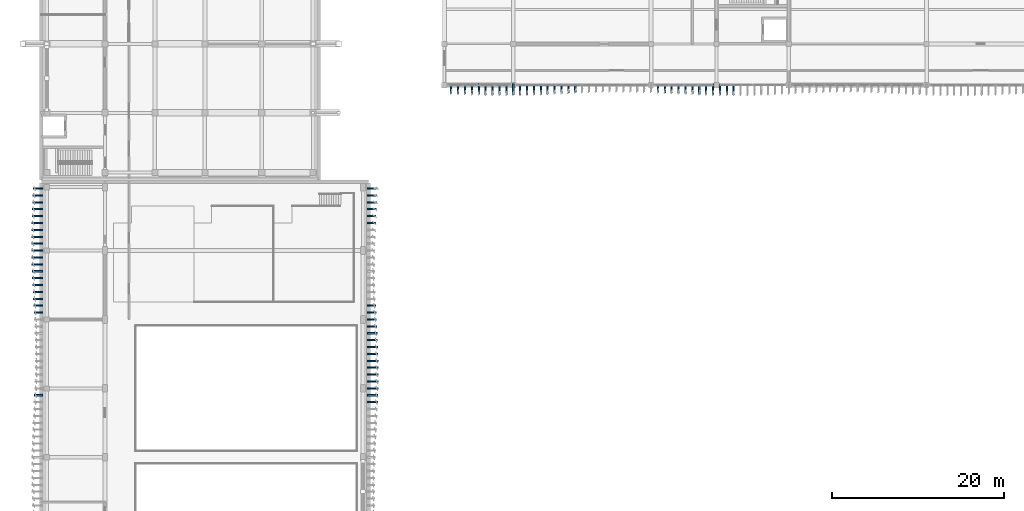
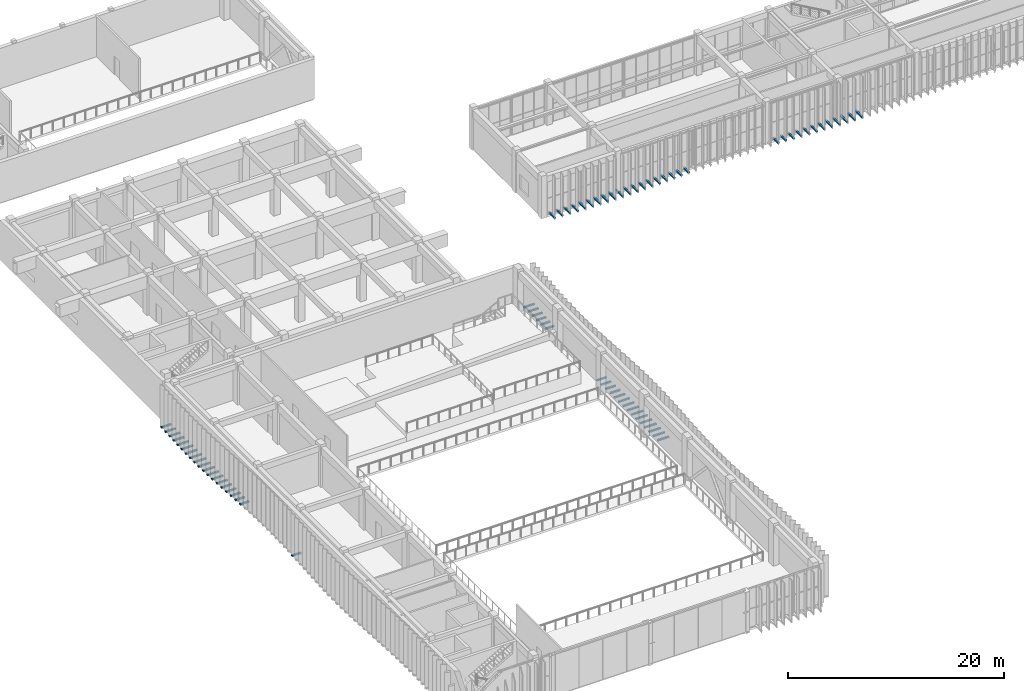
# One storey, part 48 of 64: 72 discrete accessories.
"""IFC4 building model written with IfcOpenShell, lengths in metres."""

from ifc_helpers import new_model, si_unit, direction, frame, origin, origin_2d, place, context, subcontext, project, spatial, rectangle, extrude, material, type_object, element, save


model = new_model("IFC4")

# Units and contexts
model_context = context("Model", 3, precision=1e-05, world=origin(), true_north=direction((0.0, 1.0)))
body_context = subcontext(model_context, "Body", "Model", "MODEL_VIEW")
ifc_project = project(units=[si_unit("LENGTHUNIT", "METRE"), si_unit("AREAUNIT", "SQUARE_METRE"), si_unit("VOLUMEUNIT", "CUBIC_METRE"), si_unit("PLANEANGLEUNIT", "RADIAN"), si_unit("MASSUNIT", "GRAM", prefix="KILO")], contexts=[model_context])

# Site, building, storey
site_placement = place(None, origin())
site = spatial("IfcSite", under=ifc_project, at=site_placement, CompositionType="ELEMENT")
building_placement = place(site_placement, origin())
building = spatial("IfcBuilding", under=site, at=building_placement, Name="Cinchona Park Media Centre", CompositionType="ELEMENT")
storey_placement = place(building_placement, frame((0.0, 0.0, 5.39990234375)))
storey = spatial("IfcBuildingStorey", under=building, at=storey_placement, Name="L01", CompositionType="ELEMENT", Elevation=5.39990234375)

# Discrete accessories
ifc_material = material(Name="Steel S355", Category="steel")
discrete_accessory_type = type_object("IfcDiscreteAccessoryType", Name="BRACKET-BRK01", PredefinedType="BRACKET", material=ifc_material)
discrete_accessory_1_placement = place(storey_placement, frame((7.614990234375, 62.800048828125, 0.0400390625), z_axis=(0.0, 0.0, 1.0), x_axis=(0.0, -1.0, 0.0)))
element("IfcDiscreteAccessory", 1, at=discrete_accessory_1_placement, inside=storey, type_object=discrete_accessory_type, Name="Facade Fin Outrigger Bracket L01", PredefinedType="BRACKET", context=body_context, shape_type="SweptSolid", body=[
    extrude(rectangle(XDim=0.179931640625, YDim=1.090087890625, at=origin_2d()), origin(), (0.0, 0.0, 1.0), 0.159912109375),
])
discrete_accessory_2_placement = place(storey_placement, frame((7.594970703125, 62.0, 0.0400390625), z_axis=(0.0, 0.0, 1.0), x_axis=(0.0, -1.0, 0.0)))
element("IfcDiscreteAccessory", 2, at=discrete_accessory_2_placement, inside=storey, type_object=discrete_accessory_type, Name="Facade Fin Outrigger Bracket L01", PredefinedType="BRACKET", context=body_context, shape_type="SweptSolid", body=[
    extrude(rectangle(XDim=0.179931640625, YDim=1.12890625, at=origin_2d()), origin(), (0.0, 0.0, 1.0), 0.159912109375),
])
discrete_accessory_3_placement = place(storey_placement, frame((7.576904296875, 61.199951171875, 0.0400390625), z_axis=(0.0, 0.0, 1.0), x_axis=(0.0, -1.0, 0.0)))
element("IfcDiscreteAccessory", 3, at=discrete_accessory_3_placement, inside=storey, type_object=discrete_accessory_type, Name="Facade Fin Outrigger Bracket L01", PredefinedType="BRACKET", context=body_context, shape_type="SweptSolid", body=[
    extrude(rectangle(XDim=0.179931640625, YDim=1.166015625, at=origin_2d()), origin(), (0.0, 0.0, 1.0), 0.159912109375),
])
discrete_accessory_4_placement = place(storey_placement, frame((7.56005859375, 60.39990234375, 0.0400390625), z_axis=(0.0, 0.0, 1.0), x_axis=(0.0, -1.0, 0.0)))
element("IfcDiscreteAccessory", 4, at=discrete_accessory_4_placement, inside=storey, type_object=discrete_accessory_type, Name="Facade Fin Outrigger Bracket L01", PredefinedType="BRACKET", context=body_context, shape_type="SweptSolid", body=[
    extrude(rectangle(XDim=0.179931640625, YDim=1.199951171875, at=origin_2d()), origin(), (0.0, 0.0, 1.0), 0.159912109375),
])
discrete_accessory_5_placement = place(storey_placement, frame((7.5458984375, 59.60009765625, 0.0400390625), z_axis=(0.0, 0.0, 1.0), x_axis=(0.0, -1.0, 0.0)))
element("IfcDiscreteAccessory", 5, at=discrete_accessory_5_placement, inside=storey, type_object=discrete_accessory_type, Name="Facade Fin Outrigger Bracket L01", PredefinedType="BRACKET", context=body_context, shape_type="SweptSolid", body=[
    extrude(rectangle(XDim=0.179931640625, YDim=1.22900390625, at=origin_2d()), origin(), (0.0, 0.0, 1.0), 0.159912109375),
])
discrete_accessory_6_placement = place(storey_placement, frame((7.533935546875, 58.800048828125, 0.0400390625), z_axis=(0.0, 0.0, 1.0), x_axis=(0.0, -1.0, 0.0)))
element("IfcDiscreteAccessory", 6, at=discrete_accessory_6_placement, inside=storey, type_object=discrete_accessory_type, Name="Facade Fin Outrigger Bracket L01", PredefinedType="BRACKET", context=body_context, shape_type="SweptSolid", body=[
    extrude(rectangle(XDim=0.179931640625, YDim=1.251953125, at=origin_2d()), origin(), (0.0, 0.0, 1.0), 0.159912109375),
])
discrete_accessory_7_placement = place(storey_placement, frame((7.52587890625, 58.0, 0.0400390625), z_axis=(0.0, 0.0, 1.0), x_axis=(0.0, -1.0, 0.0)))
element("IfcDiscreteAccessory", 7, at=discrete_accessory_7_placement, inside=storey, type_object=discrete_accessory_type, Name="Facade Fin Outrigger Bracket L01", PredefinedType="BRACKET", context=body_context, shape_type="SweptSolid", body=[
    extrude(rectangle(XDim=0.179931640625, YDim=1.26806640625, at=origin_2d()), origin(), (0.0, 0.0, 1.0), 0.159912109375),
])
discrete_accessory_8_placement = place(storey_placement, frame((7.52099609375, 57.199951171875, 0.0400390625), z_axis=(0.0, 0.0, 1.0), x_axis=(0.0, -1.0, 0.0)))
element("IfcDiscreteAccessory", 8, at=discrete_accessory_8_placement, inside=storey, type_object=discrete_accessory_type, Name="Facade Fin Outrigger Bracket L01", PredefinedType="BRACKET", context=body_context, shape_type="SweptSolid", body=[
    extrude(rectangle(XDim=0.179931640625, YDim=1.278076171875, at=origin_2d()), origin(), (0.0, 0.0, 1.0), 0.159912109375),
])
discrete_accessory_9_placement = place(storey_placement, frame((7.52001953125, 56.39990234375, 0.0400390625), z_axis=(0.0, 0.0, 1.0), x_axis=(0.0, -1.0, 0.0)))
element("IfcDiscreteAccessory", 9, at=discrete_accessory_9_placement, inside=storey, type_object=discrete_accessory_type, Name="Facade Fin Outrigger Bracket L01", PredefinedType="BRACKET", context=body_context, shape_type="SweptSolid", body=[
    extrude(rectangle(XDim=0.179931640625, YDim=1.280029296875, at=origin_2d()), origin(), (0.0, 0.0, 1.0), 0.159912109375),
])
discrete_accessory_10_placement = place(storey_placement, frame((7.52294921875, 55.60009765625, 0.0400390625), z_axis=(0.0, 0.0, 1.0), x_axis=(0.0, -1.0, 0.0)))
element("IfcDiscreteAccessory", 10, at=discrete_accessory_10_placement, inside=storey, type_object=discrete_accessory_type, Name="Facade Fin Outrigger Bracket L01", PredefinedType="BRACKET", context=body_context, shape_type="SweptSolid", body=[
    extrude(rectangle(XDim=0.179931640625, YDim=1.27392578125, at=origin_2d()), origin(), (0.0, 0.0, 1.0), 0.159912109375),
])
discrete_accessory_11_placement = place(storey_placement, frame((7.529052734375, 54.800048828125, 0.0400390625), z_axis=(0.0, 0.0, 1.0), x_axis=(0.0, -1.0, 0.0)))
element("IfcDiscreteAccessory", 11, at=discrete_accessory_11_placement, inside=storey, type_object=discrete_accessory_type, Name="Facade Fin Outrigger Bracket L01", PredefinedType="BRACKET", context=body_context, shape_type="SweptSolid", body=[
    extrude(rectangle(XDim=0.179931640625, YDim=1.260986328125, at=origin_2d()), origin(), (0.0, 0.0, 1.0), 0.159912109375),
])
discrete_accessory_12_placement = place(storey_placement, frame((7.5390625, 54.0, 0.0400390625), z_axis=(0.0, 0.0, 1.0), x_axis=(0.0, -1.0, 0.0)))
element("IfcDiscreteAccessory", 12, at=discrete_accessory_12_placement, inside=storey, type_object=discrete_accessory_type, Name="Facade Fin Outrigger Bracket L01", PredefinedType="BRACKET", context=body_context, shape_type="SweptSolid", body=[
    extrude(rectangle(XDim=0.179931640625, YDim=1.240966796875, at=origin_2d()), origin(), (0.0, 0.0, 1.0), 0.159912109375),
])
discrete_accessory_13_placement = place(storey_placement, frame((7.552978515625, 53.199951171875, 0.0400390625), z_axis=(0.0, 0.0, 1.0), x_axis=(0.0, -1.0, 0.0)))
element("IfcDiscreteAccessory", 13, at=discrete_accessory_13_placement, inside=storey, type_object=discrete_accessory_type, Name="Facade Fin Outrigger Bracket L01", PredefinedType="BRACKET", context=body_context, shape_type="SweptSolid", body=[
    extrude(rectangle(XDim=0.179931640625, YDim=1.215087890625, at=origin_2d()), origin(), (0.0, 0.0, 1.0), 0.159912109375),
])
discrete_accessory_14_placement = place(storey_placement, frame((7.568115234375, 52.39990234375, 0.0400390625), z_axis=(0.0, 0.0, 1.0), x_axis=(0.0, -1.0, 0.0)))
element("IfcDiscreteAccessory", 14, at=discrete_accessory_14_placement, inside=storey, type_object=discrete_accessory_type, Name="Facade Fin Outrigger Bracket L01", PredefinedType="BRACKET", context=body_context, shape_type="SweptSolid", body=[
    extrude(rectangle(XDim=0.179931640625, YDim=1.18408203125, at=origin_2d()), origin(), (0.0, 0.0, 1.0), 0.159912109375),
])
discrete_accessory_15_placement = place(storey_placement, frame((7.5859375, 51.60009765625, 0.0400390625), z_axis=(0.0, 0.0, 1.0), x_axis=(0.0, -1.0, 0.0)))
element("IfcDiscreteAccessory", 15, at=discrete_accessory_15_placement, inside=storey, type_object=discrete_accessory_type, Name="Facade Fin Outrigger Bracket L01", PredefinedType="BRACKET", context=body_context, shape_type="SweptSolid", body=[
    extrude(rectangle(XDim=0.179931640625, YDim=1.14794921875, at=origin_2d()), origin(), (0.0, 0.0, 1.0), 0.159912109375),
])
discrete_accessory_16_placement = place(storey_placement, frame((7.60498046875, 50.800048828125, 0.0400390625), z_axis=(0.0, 0.0, 1.0), x_axis=(0.0, -1.0, 0.0)))
element("IfcDiscreteAccessory", 16, at=discrete_accessory_16_placement, inside=storey, type_object=discrete_accessory_type, Name="Facade Fin Outrigger Bracket L01", PredefinedType="BRACKET", context=body_context, shape_type="SweptSolid", body=[
    extrude(rectangle(XDim=0.179931640625, YDim=1.110107421875, at=origin_2d()), origin(), (0.0, 0.0, 1.0), 0.159912109375),
])
discrete_accessory_17_placement = place(storey_placement, frame((7.625, 50.0, 0.0400390625), z_axis=(0.0, 0.0, 1.0), x_axis=(0.0, -1.0, 0.0)))
element("IfcDiscreteAccessory", 17, at=discrete_accessory_17_placement, inside=storey, type_object=discrete_accessory_type, Name="Facade Fin Outrigger Bracket L01", PredefinedType="BRACKET", context=body_context, shape_type="SweptSolid", body=[
    extrude(rectangle(XDim=0.179931640625, YDim=1.070068359375, at=origin_2d()), origin(), (0.0, 0.0, 1.0), 0.159912109375),
])
discrete_accessory_18_placement = place(storey_placement, frame((7.64501953125, 49.199951171875, 0.0400390625), z_axis=(0.0, 0.0, 1.0), x_axis=(0.0, -1.0, 0.0)))
element("IfcDiscreteAccessory", 18, at=discrete_accessory_18_placement, inside=storey, type_object=discrete_accessory_type, Name="Facade Fin Outrigger Bracket L01", PredefinedType="BRACKET", context=body_context, shape_type="SweptSolid", body=[
    extrude(rectangle(XDim=0.179931640625, YDim=1.030029296875, at=origin_2d()), origin(), (0.0, 0.0, 1.0), 0.159912109375),
])
discrete_accessory_19_placement = place(storey_placement, frame((7.6640625, 48.39990234375, 0.0400390625), z_axis=(0.0, 0.0, 1.0), x_axis=(0.0, -1.0, 0.0)))
element("IfcDiscreteAccessory", 19, at=discrete_accessory_19_placement, inside=storey, type_object=discrete_accessory_type, Name="Facade Fin Outrigger Bracket L01", PredefinedType="BRACKET", context=body_context, shape_type="SweptSolid", body=[
    extrude(rectangle(XDim=0.179931640625, YDim=0.991943359375, at=origin_2d()), origin(), (0.0, 0.0, 1.0), 0.159912109375),
])
discrete_accessory_20_placement = place(storey_placement, frame((7.673095703125, 38.800048828125, 0.0400390625), z_axis=(0.0, 0.0, 1.0), x_axis=(0.0, -1.0, 0.0)))
element("IfcDiscreteAccessory", 20, at=discrete_accessory_20_placement, inside=storey, type_object=discrete_accessory_type, Name="Facade Fin Outrigger Bracket L01", PredefinedType="BRACKET", context=body_context, shape_type="SweptSolid", body=[
    extrude(rectangle(XDim=0.179931640625, YDim=0.97412109375, at=origin_2d()), origin(), (0.0, 0.0, 1.0), 0.159912109375),
])
discrete_accessory_21_placement = place(storey_placement, frame((46.4541015625, 38.0, 0.0400390625), z_axis=(0.0, 0.0, 1.0), x_axis=(0.0, 1.0, 0.0)))
element("IfcDiscreteAccessory", 21, at=discrete_accessory_21_placement, inside=storey, type_object=discrete_accessory_type, Name="Facade Fin Outrigger Bracket L01", PredefinedType="BRACKET", context=body_context, shape_type="SweptSolid", body=[
    extrude(rectangle(XDim=0.179931640625, YDim=1.22900390625, at=origin_2d()), origin(), (0.0, 0.0, 1.0), 0.159912109375),
])
discrete_accessory_22_placement = place(storey_placement, frame((46.466064453125, 38.800048828125, 0.0400390625), z_axis=(0.0, 0.0, 1.0), x_axis=(0.0, 1.0, 0.0)))
element("IfcDiscreteAccessory", 22, at=discrete_accessory_22_placement, inside=storey, type_object=discrete_accessory_type, Name="Facade Fin Outrigger Bracket L01", PredefinedType="BRACKET", context=body_context, shape_type="SweptSolid", body=[
    extrude(rectangle(XDim=0.179931640625, YDim=1.251953125, at=origin_2d()), origin(), (0.0, 0.0, 1.0), 0.159912109375),
])
discrete_accessory_23_placement = place(storey_placement, frame((46.47412109375, 39.60009765625, 0.0400390625), z_axis=(0.0, 0.0, 1.0), x_axis=(0.0, 1.0, 0.0)))
element("IfcDiscreteAccessory", 23, at=discrete_accessory_23_placement, inside=storey, type_object=discrete_accessory_type, Name="Facade Fin Outrigger Bracket L01", PredefinedType="BRACKET", context=body_context, shape_type="SweptSolid", body=[
    extrude(rectangle(XDim=0.179931640625, YDim=1.26806640625, at=origin_2d()), origin(), (0.0, 0.0, 1.0), 0.159912109375),
])
discrete_accessory_24_placement = place(storey_placement, frame((46.47900390625, 40.39990234375, 0.0400390625), z_axis=(0.0, 0.0, 1.0), x_axis=(0.0, 1.0, 0.0)))
element("IfcDiscreteAccessory", 24, at=discrete_accessory_24_placement, inside=storey, type_object=discrete_accessory_type, Name="Facade Fin Outrigger Bracket L01", PredefinedType="BRACKET", context=body_context, shape_type="SweptSolid", body=[
    extrude(rectangle(XDim=0.179931640625, YDim=1.278076171875, at=origin_2d()), origin(), (0.0, 0.0, 1.0), 0.159912109375),
])
discrete_accessory_25_placement = place(storey_placement, frame((46.47998046875, 41.199951171875, 0.0400390625), z_axis=(0.0, 0.0, 1.0), x_axis=(0.0, 1.0, 0.0)))
element("IfcDiscreteAccessory", 25, at=discrete_accessory_25_placement, inside=storey, type_object=discrete_accessory_type, Name="Facade Fin Outrigger Bracket L01", PredefinedType="BRACKET", context=body_context, shape_type="SweptSolid", body=[
    extrude(rectangle(XDim=0.179931640625, YDim=1.280029296875, at=origin_2d()), origin(), (0.0, 0.0, 1.0), 0.159912109375),
])
discrete_accessory_26_placement = place(storey_placement, frame((46.47705078125, 42.0, 0.0400390625), z_axis=(0.0, 0.0, 1.0), x_axis=(0.0, 1.0, 0.0)))
element("IfcDiscreteAccessory", 26, at=discrete_accessory_26_placement, inside=storey, type_object=discrete_accessory_type, Name="Facade Fin Outrigger Bracket L01", PredefinedType="BRACKET", context=body_context, shape_type="SweptSolid", body=[
    extrude(rectangle(XDim=0.179931640625, YDim=1.27392578125, at=origin_2d()), origin(), (0.0, 0.0, 1.0), 0.159912109375),
])
discrete_accessory_27_placement = place(storey_placement, frame((46.470947265625, 42.800048828125, 0.0400390625), z_axis=(0.0, 0.0, 1.0), x_axis=(0.0, 1.0, 0.0)))
element("IfcDiscreteAccessory", 27, at=discrete_accessory_27_placement, inside=storey, type_object=discrete_accessory_type, Name="Facade Fin Outrigger Bracket L01", PredefinedType="BRACKET", context=body_context, shape_type="SweptSolid", body=[
    extrude(rectangle(XDim=0.179931640625, YDim=1.260986328125, at=origin_2d()), origin(), (0.0, 0.0, 1.0), 0.159912109375),
])
discrete_accessory_28_placement = place(storey_placement, frame((46.4609375, 43.60009765625, 0.0400390625), z_axis=(0.0, 0.0, 1.0), x_axis=(0.0, 1.0, 0.0)))
element("IfcDiscreteAccessory", 28, at=discrete_accessory_28_placement, inside=storey, type_object=discrete_accessory_type, Name="Facade Fin Outrigger Bracket L01", PredefinedType="BRACKET", context=body_context, shape_type="SweptSolid", body=[
    extrude(rectangle(XDim=0.179931640625, YDim=1.240966796875, at=origin_2d()), origin(), (0.0, 0.0, 1.0), 0.159912109375),
])
discrete_accessory_29_placement = place(storey_placement, frame((46.447021484375, 44.39990234375, 0.0400390625), z_axis=(0.0, 0.0, 1.0), x_axis=(0.0, 1.0, 0.0)))
element("IfcDiscreteAccessory", 29, at=discrete_accessory_29_placement, inside=storey, type_object=discrete_accessory_type, Name="Facade Fin Outrigger Bracket L01", PredefinedType="BRACKET", context=body_context, shape_type="SweptSolid", body=[
    extrude(rectangle(XDim=0.179931640625, YDim=1.215087890625, at=origin_2d()), origin(), (0.0, 0.0, 1.0), 0.159912109375),
])
discrete_accessory_30_placement = place(storey_placement, frame((46.431884765625, 45.199951171875, 0.0400390625), z_axis=(0.0, 0.0, 1.0), x_axis=(0.0, 1.0, 0.0)))
element("IfcDiscreteAccessory", 30, at=discrete_accessory_30_placement, inside=storey, type_object=discrete_accessory_type, Name="Facade Fin Outrigger Bracket L01", PredefinedType="BRACKET", context=body_context, shape_type="SweptSolid", body=[
    extrude(rectangle(XDim=0.179931640625, YDim=1.18408203125, at=origin_2d()), origin(), (0.0, 0.0, 1.0), 0.159912109375),
])
discrete_accessory_31_placement = place(storey_placement, frame((46.4140625, 46.0, 0.0400390625), z_axis=(0.0, 0.0, 1.0), x_axis=(0.0, 1.0, 0.0)))
element("IfcDiscreteAccessory", 31, at=discrete_accessory_31_placement, inside=storey, type_object=discrete_accessory_type, Name="Facade Fin Outrigger Bracket L01", PredefinedType="BRACKET", context=body_context, shape_type="SweptSolid", body=[
    extrude(rectangle(XDim=0.179931640625, YDim=1.14794921875, at=origin_2d()), origin(), (0.0, 0.0, 1.0), 0.159912109375),
])
discrete_accessory_32_placement = place(storey_placement, frame((46.39501953125, 46.800048828125, 0.0400390625), z_axis=(0.0, 0.0, 1.0), x_axis=(0.0, 1.0, 0.0)))
element("IfcDiscreteAccessory", 32, at=discrete_accessory_32_placement, inside=storey, type_object=discrete_accessory_type, Name="Facade Fin Outrigger Bracket L01", PredefinedType="BRACKET", context=body_context, shape_type="SweptSolid", body=[
    extrude(rectangle(XDim=0.179931640625, YDim=1.110107421875, at=origin_2d()), origin(), (0.0, 0.0, 1.0), 0.159912109375),
])
discrete_accessory_33_placement = place(storey_placement, frame((46.375, 47.60009765625, 0.0400390625), z_axis=(0.0, 0.0, 1.0), x_axis=(0.0, 1.0, 0.0)))
element("IfcDiscreteAccessory", 33, at=discrete_accessory_33_placement, inside=storey, type_object=discrete_accessory_type, Name="Facade Fin Outrigger Bracket L01", PredefinedType="BRACKET", context=body_context, shape_type="SweptSolid", body=[
    extrude(rectangle(XDim=0.179931640625, YDim=1.070068359375, at=origin_2d()), origin(), (0.0, 0.0, 1.0), 0.159912109375),
])
discrete_accessory_34_placement = place(storey_placement, frame((46.35498046875, 48.39990234375, 0.0400390625), z_axis=(0.0, 0.0, 1.0), x_axis=(0.0, 1.0, 0.0)))
element("IfcDiscreteAccessory", 34, at=discrete_accessory_34_placement, inside=storey, type_object=discrete_accessory_type, Name="Facade Fin Outrigger Bracket L01", PredefinedType="BRACKET", context=body_context, shape_type="SweptSolid", body=[
    extrude(rectangle(XDim=0.179931640625, YDim=1.030029296875, at=origin_2d()), origin(), (0.0, 0.0, 1.0), 0.159912109375),
])
discrete_accessory_35_placement = place(storey_placement, frame((46.3359375, 49.199951171875, 0.0400390625), z_axis=(0.0, 0.0, 1.0), x_axis=(0.0, 1.0, 0.0)))
element("IfcDiscreteAccessory", 35, at=discrete_accessory_35_placement, inside=storey, type_object=discrete_accessory_type, Name="Facade Fin Outrigger Bracket L01", PredefinedType="BRACKET", context=body_context, shape_type="SweptSolid", body=[
    extrude(rectangle(XDim=0.179931640625, YDim=0.991943359375, at=origin_2d()), origin(), (0.0, 0.0, 1.0), 0.159912109375),
])
discrete_accessory_36_placement = place(storey_placement, frame((46.326904296875, 58.800048828125, 0.0400390625), z_axis=(0.0, 0.0, 1.0), x_axis=(0.0, 1.0, 0.0)))
element("IfcDiscreteAccessory", 36, at=discrete_accessory_36_placement, inside=storey, type_object=discrete_accessory_type, Name="Facade Fin Outrigger Bracket L01", PredefinedType="BRACKET", context=body_context, shape_type="SweptSolid", body=[
    extrude(rectangle(XDim=0.179931640625, YDim=0.97412109375, at=origin_2d()), origin(), (0.0, 0.0, 1.0), 0.159912109375),
])
discrete_accessory_37_placement = place(storey_placement, frame((46.344970703125, 59.60009765625, 0.0400390625), z_axis=(0.0, 0.0, 1.0), x_axis=(0.0, 1.0, 0.0)))
element("IfcDiscreteAccessory", 37, at=discrete_accessory_37_placement, inside=storey, type_object=discrete_accessory_type, Name="Facade Fin Outrigger Bracket L01", PredefinedType="BRACKET", context=body_context, shape_type="SweptSolid", body=[
    extrude(rectangle(XDim=0.179931640625, YDim=1.010986328125, at=origin_2d()), origin(), (0.0, 0.0, 1.0), 0.159912109375),
])
discrete_accessory_38_placement = place(storey_placement, frame((46.364990234375, 60.39990234375, 0.0400390625), z_axis=(0.0, 0.0, 1.0), x_axis=(0.0, 1.0, 0.0)))
element("IfcDiscreteAccessory", 38, at=discrete_accessory_38_placement, inside=storey, type_object=discrete_accessory_type, Name="Facade Fin Outrigger Bracket L01", PredefinedType="BRACKET", context=body_context, shape_type="SweptSolid", body=[
    extrude(rectangle(XDim=0.179931640625, YDim=1.050048828125, at=origin_2d()), origin(), (0.0, 0.0, 1.0), 0.159912109375),
])
discrete_accessory_39_placement = place(storey_placement, frame((46.385009765625, 61.199951171875, 0.0400390625), z_axis=(0.0, 0.0, 1.0), x_axis=(0.0, 1.0, 0.0)))
element("IfcDiscreteAccessory", 39, at=discrete_accessory_39_placement, inside=storey, type_object=discrete_accessory_type, Name="Facade Fin Outrigger Bracket L01", PredefinedType="BRACKET", context=body_context, shape_type="SweptSolid", body=[
    extrude(rectangle(XDim=0.179931640625, YDim=1.090087890625, at=origin_2d()), origin(), (0.0, 0.0, 1.0), 0.159912109375),
])
discrete_accessory_40_placement = place(storey_placement, frame((46.405029296875, 62.0, 0.0400390625), z_axis=(0.0, 0.0, 1.0), x_axis=(0.0, 1.0, 0.0)))
element("IfcDiscreteAccessory", 40, at=discrete_accessory_40_placement, inside=storey, type_object=discrete_accessory_type, Name="Facade Fin Outrigger Bracket L01", PredefinedType="BRACKET", context=body_context, shape_type="SweptSolid", body=[
    extrude(rectangle(XDim=0.179931640625, YDim=1.12890625, at=origin_2d()), origin(), (0.0, 0.0, 1.0), 0.159912109375),
])
discrete_accessory_41_placement = place(storey_placement, frame((46.423095703125, 62.800048828125, 0.0400390625), z_axis=(0.0, 0.0, 1.0), x_axis=(0.0, 1.0, 0.0)))
element("IfcDiscreteAccessory", 41, at=discrete_accessory_41_placement, inside=storey, type_object=discrete_accessory_type, Name="Facade Fin Outrigger Bracket L01", PredefinedType="BRACKET", context=body_context, shape_type="SweptSolid", body=[
    extrude(rectangle(XDim=0.179931640625, YDim=1.166015625, at=origin_2d()), origin(), (0.0, 0.0, 1.0), 0.159912109375),
])
discrete_accessory_42_placement = place(storey_placement, frame((55.60009765625, 74.4150390625, 0.0400390625), z_axis=(0.0, 0.0, 1.0), x_axis=(1.0, 0.0, 0.0)))
element("IfcDiscreteAccessory", 42, at=discrete_accessory_42_placement, inside=storey, type_object=discrete_accessory_type, Name="Facade Fin Outrigger Bracket L01", PredefinedType="BRACKET", context=body_context, shape_type="SweptSolid", body=[
    extrude(rectangle(XDim=0.179931640625, YDim=1.090087890625, at=origin_2d()), origin(), (0.0, 0.0, 1.0), 0.159912109375),
])
discrete_accessory_43_placement = place(storey_placement, frame((56.39990234375, 74.39501953125, 0.0400390625), z_axis=(0.0, 0.0, 1.0), x_axis=(1.0, 0.0, 0.0)))
element("IfcDiscreteAccessory", 43, at=discrete_accessory_43_placement, inside=storey, type_object=discrete_accessory_type, Name="Facade Fin Outrigger Bracket L01", PredefinedType="BRACKET", context=body_context, shape_type="SweptSolid", body=[
    extrude(rectangle(XDim=0.179931640625, YDim=1.12890625, at=origin_2d()), origin(), (0.0, 0.0, 1.0), 0.159912109375),
])
discrete_accessory_44_placement = place(storey_placement, frame((57.199951171875, 74.376953125, 0.0400390625), z_axis=(0.0, 0.0, 1.0), x_axis=(1.0, 0.0, 0.0)))
element("IfcDiscreteAccessory", 44, at=discrete_accessory_44_placement, inside=storey, type_object=discrete_accessory_type, Name="Facade Fin Outrigger Bracket L01", PredefinedType="BRACKET", context=body_context, shape_type="SweptSolid", body=[
    extrude(rectangle(XDim=0.179931640625, YDim=1.166015625, at=origin_2d()), origin(), (0.0, 0.0, 1.0), 0.159912109375),
])
discrete_accessory_45_placement = place(storey_placement, frame((58.0, 74.360107421875, 0.0400390625), z_axis=(0.0, 0.0, 1.0), x_axis=(1.0, 0.0, 0.0)))
element("IfcDiscreteAccessory", 45, at=discrete_accessory_45_placement, inside=storey, type_object=discrete_accessory_type, Name="Facade Fin Outrigger Bracket L01", PredefinedType="BRACKET", context=body_context, shape_type="SweptSolid", body=[
    extrude(rectangle(XDim=0.179931640625, YDim=1.199951171875, at=origin_2d()), origin(), (0.0, 0.0, 1.0), 0.159912109375),
])
discrete_accessory_46_placement = place(storey_placement, frame((58.800048828125, 74.345947265625, 0.0400390625), z_axis=(0.0, 0.0, 1.0), x_axis=(1.0, 0.0, 0.0)))
element("IfcDiscreteAccessory", 46, at=discrete_accessory_46_placement, inside=storey, type_object=discrete_accessory_type, Name="Facade Fin Outrigger Bracket L01", PredefinedType="BRACKET", context=body_context, shape_type="SweptSolid", body=[
    extrude(rectangle(XDim=0.179931640625, YDim=1.22900390625, at=origin_2d()), origin(), (0.0, 0.0, 1.0), 0.159912109375),
])
discrete_accessory_47_placement = place(storey_placement, frame((59.60009765625, 74.333984375, 0.0400390625), z_axis=(0.0, 0.0, 1.0), x_axis=(1.0, 0.0, 0.0)))
element("IfcDiscreteAccessory", 47, at=discrete_accessory_47_placement, inside=storey, type_object=discrete_accessory_type, Name="Facade Fin Outrigger Bracket L01", PredefinedType="BRACKET", context=body_context, shape_type="SweptSolid", body=[
    extrude(rectangle(XDim=0.179931640625, YDim=1.251953125, at=origin_2d()), origin(), (0.0, 0.0, 1.0), 0.159912109375),
])
discrete_accessory_48_placement = place(storey_placement, frame((60.39990234375, 74.325927734375, 0.0400390625), z_axis=(0.0, 0.0, 1.0), x_axis=(1.0, 0.0, 0.0)))
element("IfcDiscreteAccessory", 48, at=discrete_accessory_48_placement, inside=storey, type_object=discrete_accessory_type, Name="Facade Fin Outrigger Bracket L01", PredefinedType="BRACKET", context=body_context, shape_type="SweptSolid", body=[
    extrude(rectangle(XDim=0.179931640625, YDim=1.26806640625, at=origin_2d()), origin(), (0.0, 0.0, 1.0), 0.159912109375),
])
discrete_accessory_49_placement = place(storey_placement, frame((61.199951171875, 74.321044921875, 0.0400390625), z_axis=(0.0, 0.0, 1.0), x_axis=(1.0, 0.0, 0.0)))
element("IfcDiscreteAccessory", 49, at=discrete_accessory_49_placement, inside=storey, type_object=discrete_accessory_type, Name="Facade Fin Outrigger Bracket L01", PredefinedType="BRACKET", context=body_context, shape_type="SweptSolid", body=[
    extrude(rectangle(XDim=0.179931640625, YDim=1.278076171875, at=origin_2d()), origin(), (0.0, 0.0, 1.0), 0.159912109375),
])
discrete_accessory_50_placement = place(storey_placement, frame((62.0, 74.320068359375, 0.0400390625), z_axis=(0.0, 0.0, 1.0), x_axis=(1.0, 0.0, 0.0)))
element("IfcDiscreteAccessory", 50, at=discrete_accessory_50_placement, inside=storey, type_object=discrete_accessory_type, Name="Facade Fin Outrigger Bracket L01", PredefinedType="BRACKET", context=body_context, shape_type="SweptSolid", body=[
    extrude(rectangle(XDim=0.179931640625, YDim=1.280029296875, at=origin_2d()), origin(), (0.0, 0.0, 1.0), 0.159912109375),
])
discrete_accessory_51_placement = place(storey_placement, frame((62.800048828125, 74.322998046875, 0.0400390625), z_axis=(0.0, 0.0, 1.0), x_axis=(1.0, 0.0, 0.0)))
element("IfcDiscreteAccessory", 51, at=discrete_accessory_51_placement, inside=storey, type_object=discrete_accessory_type, Name="Facade Fin Outrigger Bracket L01", PredefinedType="BRACKET", context=body_context, shape_type="SweptSolid", body=[
    extrude(rectangle(XDim=0.179931640625, YDim=1.27392578125, at=origin_2d()), origin(), (0.0, 0.0, 1.0), 0.159912109375),
])
discrete_accessory_52_placement = place(storey_placement, frame((63.60009765625, 74.3291015625, 0.0400390625), z_axis=(0.0, 0.0, 1.0), x_axis=(1.0, 0.0, 0.0)))
element("IfcDiscreteAccessory", 52, at=discrete_accessory_52_placement, inside=storey, type_object=discrete_accessory_type, Name="Facade Fin Outrigger Bracket L01", PredefinedType="BRACKET", context=body_context, shape_type="SweptSolid", body=[
    extrude(rectangle(XDim=0.179931640625, YDim=1.260986328125, at=origin_2d()), origin(), (0.0, 0.0, 1.0), 0.159912109375),
])
discrete_accessory_53_placement = place(storey_placement, frame((64.39990234375, 74.339111328125, 0.0400390625), z_axis=(0.0, 0.0, 1.0), x_axis=(1.0, 0.0, 0.0)))
element("IfcDiscreteAccessory", 53, at=discrete_accessory_53_placement, inside=storey, type_object=discrete_accessory_type, Name="Facade Fin Outrigger Bracket L01", PredefinedType="BRACKET", context=body_context, shape_type="SweptSolid", body=[
    extrude(rectangle(XDim=0.179931640625, YDim=1.240966796875, at=origin_2d()), origin(), (0.0, 0.0, 1.0), 0.159912109375),
])
discrete_accessory_54_placement = place(storey_placement, frame((65.199951171875, 74.35302734375, 0.0400390625), z_axis=(0.0, 0.0, 1.0), x_axis=(1.0, 0.0, 0.0)))
element("IfcDiscreteAccessory", 54, at=discrete_accessory_54_placement, inside=storey, type_object=discrete_accessory_type, Name="Facade Fin Outrigger Bracket L01", PredefinedType="BRACKET", context=body_context, shape_type="SweptSolid", body=[
    extrude(rectangle(XDim=0.179931640625, YDim=1.215087890625, at=origin_2d()), origin(), (0.0, 0.0, 1.0), 0.159912109375),
])
discrete_accessory_55_placement = place(storey_placement, frame((66.0, 74.367919921875, 0.0400390625), z_axis=(0.0, 0.0, 1.0), x_axis=(1.0, 0.0, 0.0)))
element("IfcDiscreteAccessory", 55, at=discrete_accessory_55_placement, inside=storey, type_object=discrete_accessory_type, Name="Facade Fin Outrigger Bracket L01", PredefinedType="BRACKET", context=body_context, shape_type="SweptSolid", body=[
    extrude(rectangle(XDim=0.179931640625, YDim=1.18408203125, at=origin_2d()), origin(), (0.0, 0.0, 1.0), 0.159912109375),
])
discrete_accessory_56_placement = place(storey_placement, frame((66.800048828125, 74.385986328125, 0.0400390625), z_axis=(0.0, 0.0, 1.0), x_axis=(1.0, 0.0, 0.0)))
element("IfcDiscreteAccessory", 56, at=discrete_accessory_56_placement, inside=storey, type_object=discrete_accessory_type, Name="Facade Fin Outrigger Bracket L01", PredefinedType="BRACKET", context=body_context, shape_type="SweptSolid", body=[
    extrude(rectangle(XDim=0.179931640625, YDim=1.14794921875, at=origin_2d()), origin(), (0.0, 0.0, 1.0), 0.159912109375),
])
discrete_accessory_57_placement = place(storey_placement, frame((67.60009765625, 74.405029296875, 0.0400390625), z_axis=(0.0, 0.0, 1.0), x_axis=(1.0, 0.0, 0.0)))
element("IfcDiscreteAccessory", 57, at=discrete_accessory_57_placement, inside=storey, type_object=discrete_accessory_type, Name="Facade Fin Outrigger Bracket L01", PredefinedType="BRACKET", context=body_context, shape_type="SweptSolid", body=[
    extrude(rectangle(XDim=0.179931640625, YDim=1.110107421875, at=origin_2d()), origin(), (0.0, 0.0, 1.0), 0.159912109375),
])
discrete_accessory_58_placement = place(storey_placement, frame((68.39990234375, 74.425048828125, 0.0400390625), z_axis=(0.0, 0.0, 1.0), x_axis=(1.0, 0.0, 0.0)))
element("IfcDiscreteAccessory", 58, at=discrete_accessory_58_placement, inside=storey, type_object=discrete_accessory_type, Name="Facade Fin Outrigger Bracket L01", PredefinedType="BRACKET", context=body_context, shape_type="SweptSolid", body=[
    extrude(rectangle(XDim=0.179931640625, YDim=1.070068359375, at=origin_2d()), origin(), (0.0, 0.0, 1.0), 0.159912109375),
])
discrete_accessory_59_placement = place(storey_placement, frame((69.199951171875, 74.445068359375, 0.0400390625), z_axis=(0.0, 0.0, 1.0), x_axis=(1.0, 0.0, 0.0)))
element("IfcDiscreteAccessory", 59, at=discrete_accessory_59_placement, inside=storey, type_object=discrete_accessory_type, Name="Facade Fin Outrigger Bracket L01", PredefinedType="BRACKET", context=body_context, shape_type="SweptSolid", body=[
    extrude(rectangle(XDim=0.179931640625, YDim=1.030029296875, at=origin_2d()), origin(), (0.0, 0.0, 1.0), 0.159912109375),
])
discrete_accessory_60_placement = place(storey_placement, frame((70.0, 74.464111328125, 0.0400390625), z_axis=(0.0, 0.0, 1.0), x_axis=(1.0, 0.0, 0.0)))
element("IfcDiscreteAccessory", 60, at=discrete_accessory_60_placement, inside=storey, type_object=discrete_accessory_type, Name="Facade Fin Outrigger Bracket L01", PredefinedType="BRACKET", context=body_context, shape_type="SweptSolid", body=[
    extrude(rectangle(XDim=0.179931640625, YDim=0.991943359375, at=origin_2d()), origin(), (0.0, 0.0, 1.0), 0.159912109375),
])
discrete_accessory_61_placement = place(storey_placement, frame((79.60009765625, 74.472900390625, 0.0400390625), z_axis=(0.0, 0.0, 1.0), x_axis=(1.0, 0.0, 0.0)))
element("IfcDiscreteAccessory", 61, at=discrete_accessory_61_placement, inside=storey, type_object=discrete_accessory_type, Name="Facade Fin Outrigger Bracket L01", PredefinedType="BRACKET", context=body_context, shape_type="SweptSolid", body=[
    extrude(rectangle(XDim=0.179931640625, YDim=0.97412109375, at=origin_2d()), origin(), (0.0, 0.0, 1.0), 0.159912109375),
])
discrete_accessory_62_placement = place(storey_placement, frame((80.39990234375, 74.455078125, 0.0400390625), z_axis=(0.0, 0.0, 1.0), x_axis=(1.0, 0.0, 0.0)))
element("IfcDiscreteAccessory", 62, at=discrete_accessory_62_placement, inside=storey, type_object=discrete_accessory_type, Name="Facade Fin Outrigger Bracket L01", PredefinedType="BRACKET", context=body_context, shape_type="SweptSolid", body=[
    extrude(rectangle(XDim=0.179931640625, YDim=1.010986328125, at=origin_2d()), origin(), (0.0, 0.0, 1.0), 0.159912109375),
])
discrete_accessory_63_placement = place(storey_placement, frame((81.199951171875, 74.43505859375, 0.0400390625), z_axis=(0.0, 0.0, 1.0), x_axis=(1.0, 0.0, 0.0)))
element("IfcDiscreteAccessory", 63, at=discrete_accessory_63_placement, inside=storey, type_object=discrete_accessory_type, Name="Facade Fin Outrigger Bracket L01", PredefinedType="BRACKET", context=body_context, shape_type="SweptSolid", body=[
    extrude(rectangle(XDim=0.179931640625, YDim=1.050048828125, at=origin_2d()), origin(), (0.0, 0.0, 1.0), 0.159912109375),
])
discrete_accessory_64_placement = place(storey_placement, frame((82.0, 74.4150390625, 0.0400390625), z_axis=(0.0, 0.0, 1.0), x_axis=(1.0, 0.0, 0.0)))
element("IfcDiscreteAccessory", 64, at=discrete_accessory_64_placement, inside=storey, type_object=discrete_accessory_type, Name="Facade Fin Outrigger Bracket L01", PredefinedType="BRACKET", context=body_context, shape_type="SweptSolid", body=[
    extrude(rectangle(XDim=0.179931640625, YDim=1.090087890625, at=origin_2d()), origin(), (0.0, 0.0, 1.0), 0.159912109375),
])
discrete_accessory_65_placement = place(storey_placement, frame((82.800048828125, 74.39501953125, 0.0400390625), z_axis=(0.0, 0.0, 1.0), x_axis=(1.0, 0.0, 0.0)))
element("IfcDiscreteAccessory", 65, at=discrete_accessory_65_placement, inside=storey, type_object=discrete_accessory_type, Name="Facade Fin Outrigger Bracket L01", PredefinedType="BRACKET", context=body_context, shape_type="SweptSolid", body=[
    extrude(rectangle(XDim=0.179931640625, YDim=1.12890625, at=origin_2d()), origin(), (0.0, 0.0, 1.0), 0.159912109375),
])
discrete_accessory_66_placement = place(storey_placement, frame((83.60009765625, 74.376953125, 0.0400390625), z_axis=(0.0, 0.0, 1.0), x_axis=(1.0, 0.0, 0.0)))
element("IfcDiscreteAccessory", 66, at=discrete_accessory_66_placement, inside=storey, type_object=discrete_accessory_type, Name="Facade Fin Outrigger Bracket L01", PredefinedType="BRACKET", context=body_context, shape_type="SweptSolid", body=[
    extrude(rectangle(XDim=0.179931640625, YDim=1.166015625, at=origin_2d()), origin(), (0.0, 0.0, 1.0), 0.159912109375),
])
discrete_accessory_67_placement = place(storey_placement, frame((84.39990234375, 74.360107421875, 0.0400390625), z_axis=(0.0, 0.0, 1.0), x_axis=(1.0, 0.0, 0.0)))
element("IfcDiscreteAccessory", 67, at=discrete_accessory_67_placement, inside=storey, type_object=discrete_accessory_type, Name="Facade Fin Outrigger Bracket L01", PredefinedType="BRACKET", context=body_context, shape_type="SweptSolid", body=[
    extrude(rectangle(XDim=0.179931640625, YDim=1.199951171875, at=origin_2d()), origin(), (0.0, 0.0, 1.0), 0.159912109375),
])
discrete_accessory_68_placement = place(storey_placement, frame((85.199951171875, 74.345947265625, 0.0400390625), z_axis=(0.0, 0.0, 1.0), x_axis=(1.0, 0.0, 0.0)))
element("IfcDiscreteAccessory", 68, at=discrete_accessory_68_placement, inside=storey, type_object=discrete_accessory_type, Name="Facade Fin Outrigger Bracket L01", PredefinedType="BRACKET", context=body_context, shape_type="SweptSolid", body=[
    extrude(rectangle(XDim=0.179931640625, YDim=1.22900390625, at=origin_2d()), origin(), (0.0, 0.0, 1.0), 0.159912109375),
])
discrete_accessory_69_placement = place(storey_placement, frame((86.0, 74.333984375, 0.0400390625), z_axis=(0.0, 0.0, 1.0), x_axis=(1.0, 0.0, 0.0)))
element("IfcDiscreteAccessory", 69, at=discrete_accessory_69_placement, inside=storey, type_object=discrete_accessory_type, Name="Facade Fin Outrigger Bracket L01", PredefinedType="BRACKET", context=body_context, shape_type="SweptSolid", body=[
    extrude(rectangle(XDim=0.179931640625, YDim=1.251953125, at=origin_2d()), origin(), (0.0, 0.0, 1.0), 0.159912109375),
])
discrete_accessory_70_placement = place(storey_placement, frame((86.800048828125, 74.325927734375, 0.0400390625), z_axis=(0.0, 0.0, 1.0), x_axis=(1.0, 0.0, 0.0)))
element("IfcDiscreteAccessory", 70, at=discrete_accessory_70_placement, inside=storey, type_object=discrete_accessory_type, Name="Facade Fin Outrigger Bracket L01", PredefinedType="BRACKET", context=body_context, shape_type="SweptSolid", body=[
    extrude(rectangle(XDim=0.179931640625, YDim=1.26806640625, at=origin_2d()), origin(), (0.0, 0.0, 1.0), 0.159912109375),
])
discrete_accessory_71_placement = place(storey_placement, frame((87.60009765625, 74.321044921875, 0.0400390625), z_axis=(0.0, 0.0, 1.0), x_axis=(1.0, 0.0, 0.0)))
element("IfcDiscreteAccessory", 71, at=discrete_accessory_71_placement, inside=storey, type_object=discrete_accessory_type, Name="Facade Fin Outrigger Bracket L01", PredefinedType="BRACKET", context=body_context, shape_type="SweptSolid", body=[
    extrude(rectangle(XDim=0.179931640625, YDim=1.278076171875, at=origin_2d()), origin(), (0.0, 0.0, 1.0), 0.159912109375),
])
discrete_accessory_72_placement = place(storey_placement, frame((88.39990234375, 74.320068359375, 0.0400390625), z_axis=(0.0, 0.0, 1.0), x_axis=(1.0, 0.0, 0.0)))
element("IfcDiscreteAccessory", 72, at=discrete_accessory_72_placement, inside=storey, type_object=discrete_accessory_type, Name="Facade Fin Outrigger Bracket L01", PredefinedType="BRACKET", context=body_context, shape_type="SweptSolid", body=[
    extrude(rectangle(XDim=0.179931640625, YDim=1.280029296875, at=origin_2d()), origin(), (0.0, 0.0, 1.0), 0.159912109375),
])

save(model, "model.ifc")
